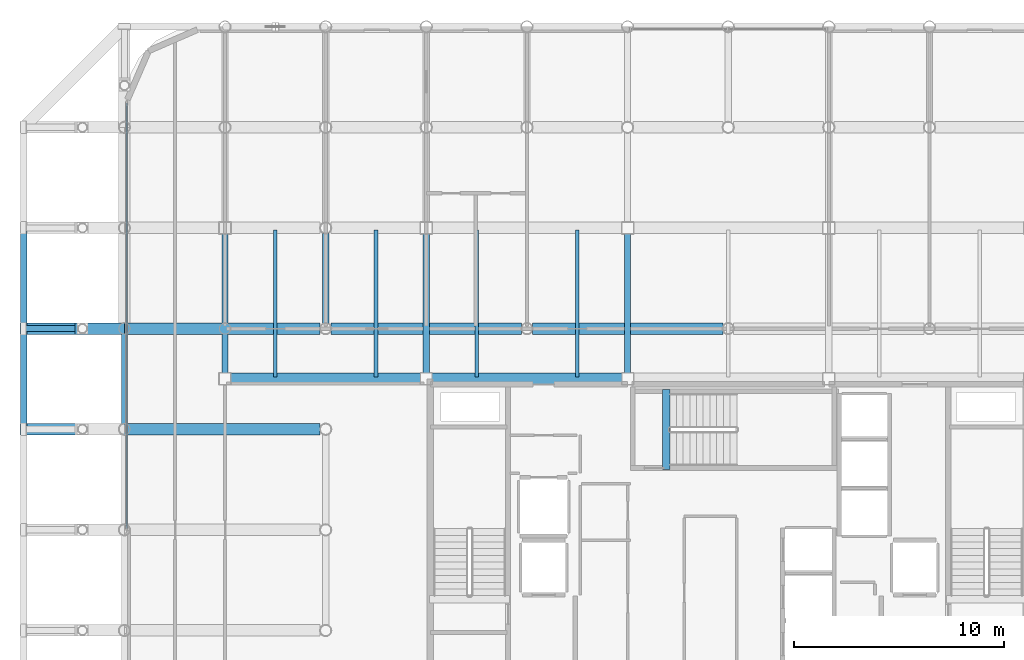
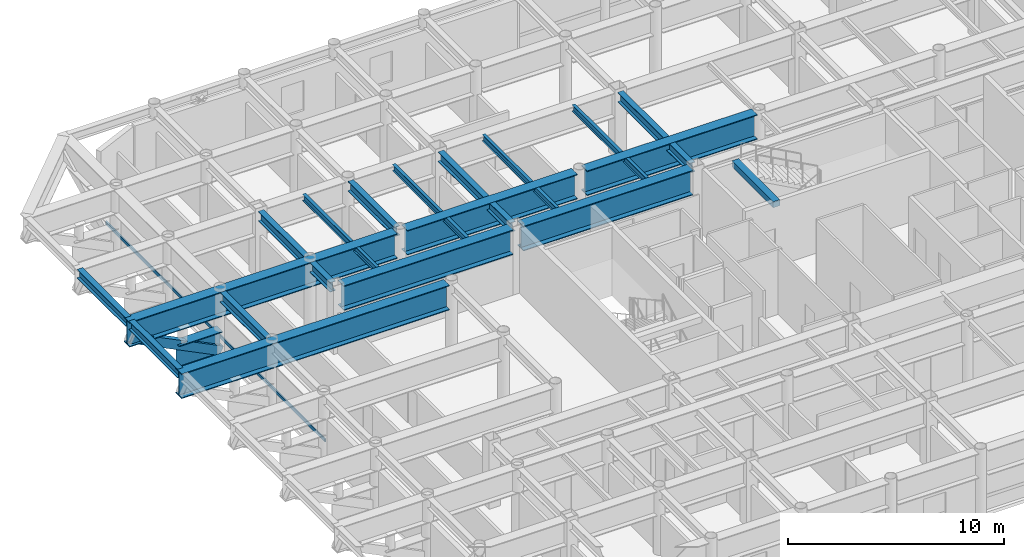
# One storey, part 9 of 27: 20 beams, 2 members, 1 element without a shape of its own.
"""IFC4 building model written with IfcOpenShell, lengths in metres."""

from ifc_helpers import new_model, si_unit, direction, frame, origin, origin_2d, place, context, subcontext, project, spatial, rectangle, hollow_rectangle, i_section, extrude, material, layer, layer_set, material_profile, profile_set, type_object, element, aggregate, save


model = new_model("IFC4")

# Units and contexts
model_context = context("Model", 3, precision=1e-05, world=origin(), true_north=direction((0.0, 1.0)))
body_context = subcontext(model_context, "Body", "Model", "MODEL_VIEW")
ifc_project = project(units=[si_unit("LENGTHUNIT", "METRE"), si_unit("AREAUNIT", "SQUARE_METRE"), si_unit("VOLUMEUNIT", "CUBIC_METRE"), si_unit("PLANEANGLEUNIT", "RADIAN"), si_unit("MASSUNIT", "GRAM", prefix="KILO")], contexts=[model_context])

# Site, building, storey
site_placement = place(None, origin())
site = spatial("IfcSite", under=ifc_project, at=site_placement, CompositionType="ELEMENT")
building_placement = place(site_placement, origin())
building = spatial("IfcBuilding", under=site, at=building_placement, Name="Kallvorn Hotel Tower", CompositionType="ELEMENT")
storey_placement = place(building_placement, frame((0.0, 0.0, 245.39990234375)))
storey = spatial("IfcBuildingStorey", under=building, at=storey_placement, Name="L61", CompositionType="ELEMENT", Elevation=245.39990234375)

# Beams
ifc_material_1 = material(Name="Structural steel S355JR", Category="steel")
ifc_material_profile_1 = material_profile(ifc_material_1, i_section(OverallWidth=0.300048828125, OverallDepth=0.5, WebThickness=0.014404296875, FlangeThickness=0.028076171875, at=origin_2d()), Name="HE 500 B")
ifc_profile_set_1 = profile_set([ifc_material_profile_1], Name="Structural steel S355JR")
beam_type_1 = type_object("IfcBeamType", Name="BM_HE500B", PredefinedType="SPANDREL", material=ifc_profile_set_1)
for number, where, z_axis, x_axis, name in (
    (1, (-33.60009765625, 4.949951171875, 3.420166015625), (0.0, 1.0, 0.0), (-1.0, 0.0, 0.0), "L62 Perimeter Spandrel 187"),
    (2, (-33.60009765625, 9.75, 3.420166015625), (0.0, 1.0, 0.0), (-1.0, 0.0, 0.0), "L62 Perimeter Spandrel 188"),
):
    element("IfcBeam", number, at=place(storey_placement, frame(where, z_axis=z_axis, x_axis=x_axis)), inside=storey, type_object=beam_type_1, Name=name, PredefinedType="SPANDREL", context=body_context, shape_type="SweptSolid", body=[
        extrude(i_section(OverallWidth=0.300048828125, OverallDepth=0.5, WebThickness=0.014404296875, FlangeThickness=0.028076171875, at=origin_2d()), origin(), (0.0, 0.0, 1.0), 4.5),
    ])
ifc_material_2 = material(Name="Structural steel S355JR", Category="steel")
ifc_material_profile_2 = material_profile(ifc_material_2, i_section(OverallWidth=0.300048828125, OverallDepth=0.550048828125, WebThickness=0.014892578125, FlangeThickness=0.029052734375, at=origin_2d()), Name="HE 550 B")
ifc_profile_set_2 = profile_set([ifc_material_profile_2], Name="Structural steel S355JR")
beam_type_2 = type_object("IfcBeamType", Name="BM_HE550B", PredefinedType="SPANDREL", material=ifc_profile_set_2)
beam_1_placement = place(storey_placement, frame((-28.800048828125, 5.054443359375, 3.39501953125), z_axis=(0.0, 1.0, 0.0), x_axis=(-1.0, 0.0, 0.0)))
element("IfcBeam", 3, at=beam_1_placement, inside=storey, type_object=beam_type_2, Name="L62 Primary Y-Girder 87", PredefinedType="SPANDREL", context=body_context, shape_type="SweptSolid", body=[
    extrude(i_section(OverallWidth=0.300048828125, OverallDepth=0.550048828125, WebThickness=0.014892578125, FlangeThickness=0.029052734375, at=origin_2d()), origin(), (0.0, 0.0, 1.0), 4.291015625),
])
beam_2_placement = place(storey_placement, frame((-24.0, 7.47509765625, 3.39501953125), z_axis=(0.0, 1.0, 0.0), x_axis=(-1.0, 0.0, 0.0)))
element("IfcBeam", 4, at=beam_2_placement, inside=storey, type_object=beam_type_2, Name="L62 Primary Y-Girder 93", PredefinedType="SPANDREL", context=body_context, shape_type="SweptSolid", body=[
    extrude(i_section(OverallWidth=0.300048828125, OverallDepth=0.550048828125, WebThickness=0.014892578125, FlangeThickness=0.029052734375, at=origin_2d()), origin(), (0.0, 0.0, 1.0), 1.870361328125),
])
beam_3_placement = place(storey_placement, frame((-24.0, 9.8544921875, 3.39501953125), z_axis=(0.0, 1.0, 0.0), x_axis=(-1.0, 0.0, 0.0)))
element("IfcBeam", 5, at=beam_3_placement, inside=storey, type_object=beam_type_2, Name="L62 Primary Y-Girder 94", PredefinedType="SPANDREL", context=body_context, shape_type="SweptSolid", body=[
    extrude(i_section(OverallWidth=0.300048828125, OverallDepth=0.550048828125, WebThickness=0.014892578125, FlangeThickness=0.029052734375, at=origin_2d()), origin(), (0.0, 0.0, 1.0), 4.2705078125),
])
beam_4_placement = place(storey_placement, frame((-19.199951171875, 9.8544921875, 3.39501953125), z_axis=(0.0, 1.0, 0.0), x_axis=(-1.0, 0.0, 0.0)))
element("IfcBeam", 6, at=beam_4_placement, inside=storey, type_object=beam_type_2, Name="L62 Primary Y-Girder 103", PredefinedType="SPANDREL", context=body_context, shape_type="SweptSolid", body=[
    extrude(i_section(OverallWidth=0.300048828125, OverallDepth=0.550048828125, WebThickness=0.014892578125, FlangeThickness=0.029052734375, at=origin_2d()), origin(), (0.0, 0.0, 1.0), 4.291015625),
])
for number, where, z_axis, x_axis, name in (
    (7, (-14.39990234375, 7.47509765625, 3.39501953125), (0.0, 1.0, 0.0), (-1.0, 0.0, 0.0), "L62 Primary Y-Girder 108"),
    (8, (-4.800048828125, 7.47509765625, 3.39501953125), (0.0, 1.0, 0.0), (-1.0, 0.0, 0.0), "L62 Primary Y-Girder 116"),
):
    element("IfcBeam", number, at=place(storey_placement, frame(where, z_axis=z_axis, x_axis=x_axis)), inside=storey, type_object=beam_type_2, Name=name, PredefinedType="SPANDREL", context=body_context, shape_type="SweptSolid", body=[
        extrude(i_section(OverallWidth=0.300048828125, OverallDepth=0.550048828125, WebThickness=0.014892578125, FlangeThickness=0.029052734375, at=origin_2d()), origin(), (0.0, 0.0, 1.0), 6.64990234375),
    ])
ifc_material_3 = material(Name="Structural steel S355JR", Category="steel")
ifc_material_profile_3 = material_profile(ifc_material_3, i_section(OverallWidth=0.169921875, OverallDepth=0.360107421875, WebThickness=0.008056640625, FlangeThickness=0.0126953125, at=origin_2d()), Name="IPE 360")
ifc_profile_set_3 = profile_set([ifc_material_profile_3], Name="Structural steel S355JR")
beam_type_3 = type_object("IfcBeamType", Name="BM_IPE360", PredefinedType="JOIST", material=ifc_profile_set_3)
for number, where, z_axis, x_axis, name in (
    (9, (-21.60009765625, 7.300048828125, 3.489990234375), (0.0, 1.0, 0.0), (-1.0, 0.0, 0.0), "L62 Secondary Composite Joist 202"),
    (10, (-16.800048828125, 7.300048828125, 3.489990234375), (0.0, 1.0, 0.0), (-1.0, 0.0, 0.0), "L62 Secondary Composite Joist 204"),
    (11, (-12.0, 7.300048828125, 3.489990234375), (0.0, 1.0, 0.0), (-1.0, 0.0, 0.0), "L62 Secondary Composite Joist 206"),
    (12, (-7.199951171875, 7.300048828125, 3.489990234375), (0.0, 1.0, 0.0), (-1.0, 0.0, 0.0), "L62 Secondary Composite Joist 208"),
):
    element("IfcBeam", number, at=place(storey_placement, frame(where, z_axis=z_axis, x_axis=x_axis)), inside=storey, type_object=beam_type_3, Name=name, PredefinedType="JOIST", context=body_context, shape_type="SweptSolid", body=[
        extrude(i_section(OverallWidth=0.169921875, OverallDepth=0.360107421875, WebThickness=0.008056640625, FlangeThickness=0.0126953125, at=origin_2d()), origin(), (0.0, 0.0, 1.0), 7.0),
    ])
ifc_material_4 = material(Name="Structural steel S355JR", Category="steel")
ifc_material_profile_4 = material_profile(ifc_material_4, i_section(OverallWidth=0.550048828125, OverallDepth=1.39990234375, WebThickness=0.02490234375, FlangeThickness=0.044921875, at=origin_2d()), Name="PG 1400x550x25x45")
ifc_profile_set_4 = profile_set([ifc_material_profile_4], Name="Structural steel S355JR")
beam_type_4 = type_object("IfcBeamType", Name="BM_PG_1400", PredefinedType="BEAM", material=ifc_profile_set_4)
for number, where, z_axis, x_axis, name in (
    (13, (-19.469482421875, 4.800048828125, 2.97021484375), (-1.0, 0.0, 0.0), (0.0, -1.0, 0.0), "L62 Continuous Cantilever Transfer Girder 05"),
    (14, (-19.469482421875, 9.60009765625, 2.97021484375), (-1.0, 0.0, 0.0), (0.0, -1.0, 0.0), "L62 Continuous Cantilever Transfer Girder 06"),
):
    element("IfcBeam", number, at=place(storey_placement, frame(where, z_axis=z_axis, x_axis=x_axis)), inside=storey, type_object=beam_type_4, Name=name, PredefinedType="BEAM", context=body_context, shape_type="SweptSolid", body=[
        extrude(i_section(OverallWidth=0.550048828125, OverallDepth=1.39990234375, WebThickness=0.02490234375, FlangeThickness=0.044921875, at=origin_2d()), origin(), (0.0, 0.0, 1.0), 14.310546875),
    ])
beam_5_placement = place(storey_placement, frame((-28.800048828125, 9.60009765625, 0.72021484375), z_axis=(-1.0, 0.0, 0.0), x_axis=(0.0, -1.0, 0.0)))
element("IfcBeam", 15, at=beam_5_placement, inside=storey, type_object=beam_type_4, Name="L62 Cantilever Haunch Corbel 06", PredefinedType="BEAM", context=body_context, shape_type="SweptSolid", body=[
    extrude(i_section(OverallWidth=0.550048828125, OverallDepth=1.39990234375, WebThickness=0.02490234375, FlangeThickness=0.044921875, at=origin_2d()), origin(), (0.0, 0.0, 1.0), 2.349853515625),
])
for number, where, z_axis, x_axis, name in (
    (16, (-23.72509765625, 7.199951171875, 2.97021484375), (1.0, 0.0, 0.0), (0.0, 1.0, 0.0), "L62 Primary X-Girder 45"),
    (17, (-14.125, 7.199951171875, 2.97021484375), (1.0, 0.0, 0.0), (0.0, 1.0, 0.0), "L62 Primary X-Girder 46"),
):
    element("IfcBeam", number, at=place(storey_placement, frame(where, z_axis=z_axis, x_axis=x_axis)), inside=storey, type_object=beam_type_4, Name=name, PredefinedType="BEAM", context=body_context, shape_type="SweptSolid", body=[
        extrude(i_section(OverallWidth=0.550048828125, OverallDepth=1.39990234375, WebThickness=0.02490234375, FlangeThickness=0.044921875, at=origin_2d()), origin(), (0.0, 0.0, 1.0), 9.050048828125),
    ])
for number, where, z_axis, x_axis, name in (
    (18, (-18.945556640625, 9.60009765625, 2.97021484375), (1.0, 0.0, 0.0), (0.0, 1.0, 0.0), "L62 Primary X-Girder 52"),
    (19, (-9.345458984375, 9.60009765625, 2.97021484375), (1.0, 0.0, 0.0), (0.0, 1.0, 0.0), "L62 Primary X-Girder 53"),
):
    element("IfcBeam", number, at=place(storey_placement, frame(where, z_axis=z_axis, x_axis=x_axis)), inside=storey, type_object=beam_type_4, Name=name, PredefinedType="BEAM", context=body_context, shape_type="SweptSolid", body=[
        extrude(i_section(OverallWidth=0.550048828125, OverallDepth=1.39990234375, WebThickness=0.02490234375, FlangeThickness=0.044921875, at=origin_2d()), origin(), (0.0, 0.0, 1.0), 9.091064453125),
    ])
ifc_material_5 = material(Name="Concrete C50/60", Category="concrete")
ifc_material_profile_5 = material_profile(ifc_material_5, rectangle(XDim=0.360107421875, YDim=0.340087890625, at=origin_2d()), Name="RC 360x340")
ifc_profile_set_5 = profile_set([ifc_material_profile_5], Name="Concrete C50/60")
beam_type_5 = type_object("IfcBeamType", Name="BM_RC_400x360", PredefinedType="BEAM", material=ifc_profile_set_5)
beam_6_placement = place(storey_placement, frame((-2.9599609375, 2.8701171875, 3.5), z_axis=(0.0, 1.0, 0.0), x_axis=(-1.0, 0.0, 0.0)))
element("IfcBeam", 20, at=beam_6_placement, inside=storey, type_object=beam_type_5, Name="L62 Stair ST3 Arrival Trimmer Beam", PredefinedType="BEAM", context=body_context, shape_type="SweptSolid", body=[
    extrude(rectangle(XDim=0.360107421875, YDim=0.340087890625, at=origin_2d()), origin(), (0.0, 0.0, 1.0), 3.81982421875),
])

# Curtain wall, member
ifc_material_6 = material(Name="Thermally broken black-anodised aluminium AA 6063-T6", Category="aluminium")
ifc_layer = layer(ifc_material_6, 0.22998046875)
ifc_layer_set = layer_set([ifc_layer], Name="CW_SYS_5_HOTEL_HIGH")
curtain_wall_type = type_object("IfcCurtainWallType", Name="CW_SYS_5_HOTEL_HIGH", PredefinedType="USERDEFINED", material=ifc_layer_set)
curtain_wall_placement = place(storey_placement, origin())
curtain_wall = element("IfcCurtainWall", 21, at=curtain_wall_placement, inside=storey, type_object=curtain_wall_type, Name="L61 Dark-Glass Curtain Wall CW-L61-WN", ObjectType="UNITISED CURTAIN WALL", PredefinedType="USERDEFINED")
ifc_material_7 = material(Name="Thermally broken black-anodised aluminium AA 6063-T6", Category="aluminium")
ifc_material_profile_6 = material_profile(ifc_material_7, hollow_rectangle(XDim=0.070068359375, YDim=0.179931640625, WallThickness=0.00390625, at=origin_2d()), Name="TRN 180x70")
ifc_profile_set_6 = profile_set([ifc_material_profile_6], Name="Thermally broken black-anodised aluminium AA 6063-T6")
member_type_1 = type_object("IfcMemberType", Name="CW_TRANSOM_180x70", PredefinedType="USERDEFINED", material=ifc_profile_set_6)
member_1_placement = place(storey_placement, frame((-28.679931640625, 0.06005859375, 0.85009765625), z_axis=(0.0, 1.0, 0.0), x_axis=(-1.0, 0.0, 0.0)))
member_1 = element("IfcMember", 22, at=member_1_placement, type_object=member_type_1, Name="CW-L61-WN Transom 00M", ObjectType="TRANSOM", PredefinedType="USERDEFINED", context=body_context, shape_type="SweptSolid", body=[
    extrude(hollow_rectangle(XDim=0.070068359375, YDim=0.179931640625, WallThickness=0.00390625, at=origin_2d()), origin(), (0.0, 0.0, 1.0), 20.300048828125),
])
aggregate(curtain_wall, [member_1])

# Member
ifc_material_8 = material(Name="Structural steel S355J2H", Category="steel")
ifc_material_profile_7 = material_profile(ifc_material_8, hollow_rectangle(XDim=0.300048828125, YDim=0.5, WallThickness=0.02490234375, at=origin_2d()), Name="RHS 500x300x25")
ifc_profile_set_7 = profile_set([ifc_material_profile_7], Name="Structural steel S355J2H")
member_type_2 = type_object("IfcMemberType", Name="MBR_OUTRIGGER_RHS500", PredefinedType="BRACE", material=ifc_profile_set_7)
member_2_placement = place(storey_placement, frame((-28.800048828125, 9.60009765625, 0.25), z_axis=(-0.896650696442, 0.0, 0.442738668484), x_axis=(0.0, -1.0, 0.0)))
element("IfcMember", 23, at=member_2_placement, inside=storey, type_object=member_type_2, Name="L62 Exoskeleton Cantilever Raking Strut 06", PredefinedType="BRACE", context=body_context, shape_type="SweptSolid", body=[
    extrude(hollow_rectangle(XDim=0.300048828125, YDim=0.5, WallThickness=0.02490234375, at=origin_2d()), origin(), (0.0, 0.0, 1.0), 5.353271484375),
])

save(model, "model.ifc")
